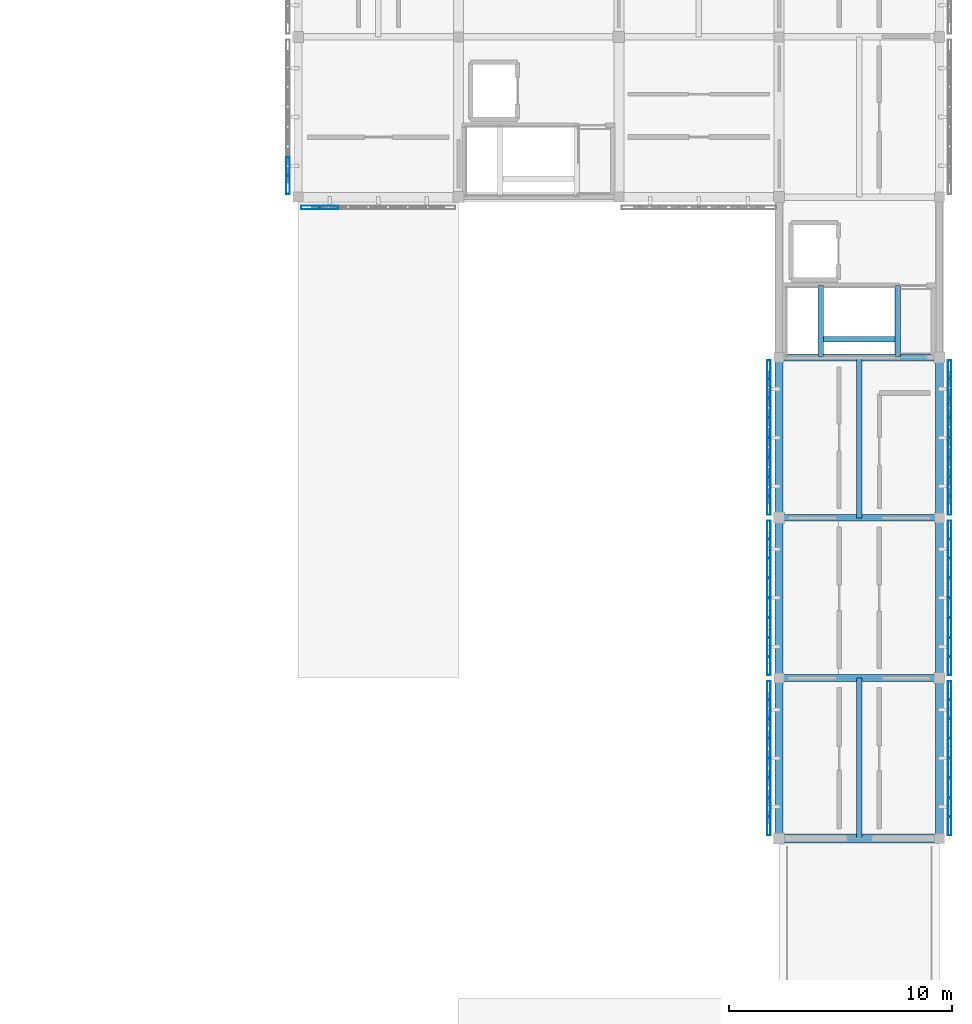
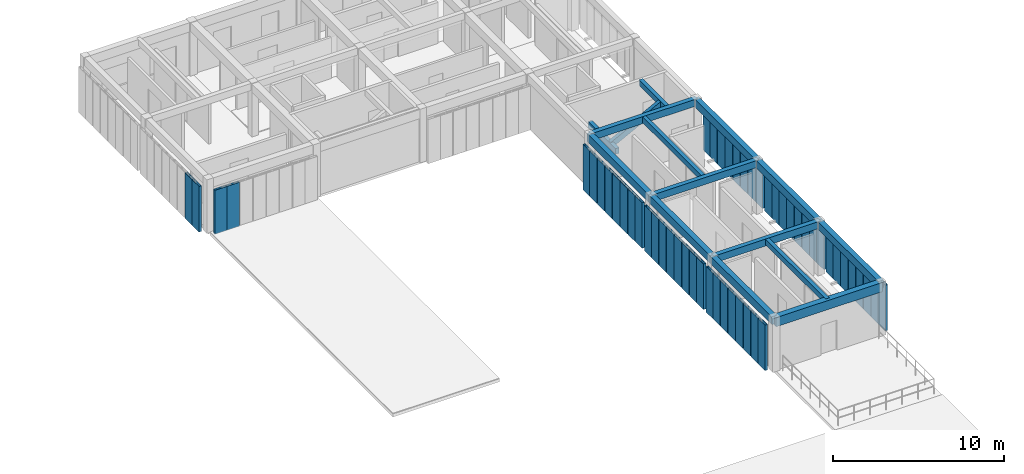
# One storey, part 5 of 33: 52 members, 15 beams, 8 elements without a shape of their own.
"""IFC4 building model written with IfcOpenShell, lengths in metres."""

from ifc_helpers import new_model, si_unit, direction, frame, origin, origin_2d, place, context, subcontext, project, spatial, rectangle, hollow_rectangle, extrude, material, material_profile, profile_set, type_object, element, aggregate, save


model = new_model("IFC4")

# Units and contexts
model_context = context("Model", 3, precision=1e-05, world=origin(), true_north=direction((0.0, 1.0)))
body_context = subcontext(model_context, "Body", "Model", "MODEL_VIEW")
ifc_project = project(units=[si_unit("LENGTHUNIT", "METRE"), si_unit("AREAUNIT", "SQUARE_METRE"), si_unit("VOLUMEUNIT", "CUBIC_METRE"), si_unit("PLANEANGLEUNIT", "RADIAN"), si_unit("MASSUNIT", "GRAM", prefix="KILO")], contexts=[model_context])

# Site, building, storey
site_placement = place(None, origin())
site = spatial("IfcSite", under=ifc_project, at=site_placement, CompositionType="ELEMENT")
building_placement = place(site_placement, origin())
building = spatial("IfcBuilding", under=site, at=building_placement, Name="Aldebral Square Health Centre", CompositionType="ELEMENT")
storey_placement = place(building_placement, frame((0.0, 0.0, 17.550048828125)))
storey = spatial("IfcBuildingStorey", under=building, at=storey_placement, Name="L04", CompositionType="ELEMENT", Elevation=17.550048828125)

# Beams
ifc_material_1 = material(Name="Concrete C40/50", Category="concrete")
ifc_material_profile_1 = material_profile(ifc_material_1, rectangle(XDim=0.39990234375, YDim=0.64990234375, at=origin_2d()), Name="RC 400x650")
ifc_profile_set_1 = profile_set([ifc_material_profile_1], Name="Concrete C40/50")
beam_type_1 = type_object("IfcBeamType", Name="BM-B1", PredefinedType="BEAM", material=ifc_profile_set_1)
beam_1_placement = place(storey_placement, frame((158.39990234375, 72.0, 3.474853515625), z_axis=(1.0, 0.0, 0.0), x_axis=(0.0, 1.0, 0.0)))
element("IfcBeam", 1, at=beam_1_placement, inside=storey, type_object=beam_type_1, Name="L04 X-beam 23-24/G11", PredefinedType="BEAM", context=body_context, shape_type="SweptSolid", body=[
    extrude(rectangle(XDim=0.39990234375, YDim=0.64990234375, at=origin_2d()), origin(), (0.0, 0.0, 1.0), 7.2001953125),
])
ifc_material_profile_2 = material_profile(ifc_material_1, rectangle(XDim=0.35009765625, YDim=0.550048828125, at=origin_2d()), Name="RC 350x550")
ifc_profile_set_2 = profile_set([ifc_material_profile_2], Name="Concrete C40/50")
beam_type_2 = type_object("IfcBeamType", Name="BM-B3", PredefinedType="BEAM", material=ifc_profile_set_2)
for number, where, z_axis, x_axis, name in (
    (2, (158.39990234375, 72.0, 3.52490234375), (0.0, 1.0, 0.0), (-1.0, 0.0, 0.0), "L04 Y-beam G23/11-12"),
    (3, (158.39990234375, 79.199951171875, 3.52490234375), (0.0, 1.0, 0.0), (-1.0, 0.0, 0.0), "L04 Y-beam G23/12-13"),
):
    element("IfcBeam", number, at=place(storey_placement, frame(where, z_axis=z_axis, x_axis=x_axis)), inside=storey, type_object=beam_type_2, Name=name, PredefinedType="BEAM", context=body_context, shape_type="SweptSolid", body=[
        extrude(rectangle(XDim=0.35009765625, YDim=0.550048828125, at=origin_2d()), origin(), (0.0, 0.0, 1.0), 7.199951171875),
    ])
beam_2_placement = place(storey_placement, frame((158.39990234375, 86.39990234375, 3.52490234375), z_axis=(0.0, 1.0, 0.0), x_axis=(-1.0, 0.0, 0.0)))
element("IfcBeam", 4, at=beam_2_placement, inside=storey, type_object=beam_type_2, Name="L04 Y-beam G23/13-14", PredefinedType="BEAM", context=body_context, shape_type="SweptSolid", body=[
    extrude(rectangle(XDim=0.35009765625, YDim=0.550048828125, at=origin_2d()), origin(), (0.0, 0.0, 1.0), 7.2001953125),
])
for number, where, z_axis, x_axis, name in (
    (5, (165.60009765625, 72.0, 3.52490234375), (0.0, 1.0, 0.0), (-1.0, 0.0, 0.0), "L04 Y-beam G24/11-12"),
    (6, (165.60009765625, 79.199951171875, 3.52490234375), (0.0, 1.0, 0.0), (-1.0, 0.0, 0.0), "L04 Y-beam G24/12-13"),
):
    element("IfcBeam", number, at=place(storey_placement, frame(where, z_axis=z_axis, x_axis=x_axis)), inside=storey, type_object=beam_type_2, Name=name, PredefinedType="BEAM", context=body_context, shape_type="SweptSolid", body=[
        extrude(rectangle(XDim=0.35009765625, YDim=0.550048828125, at=origin_2d()), origin(), (0.0, 0.0, 1.0), 7.199951171875),
    ])
beam_3_placement = place(storey_placement, frame((165.60009765625, 86.39990234375, 3.52490234375), z_axis=(0.0, 1.0, 0.0), x_axis=(-1.0, 0.0, 0.0)))
element("IfcBeam", 7, at=beam_3_placement, inside=storey, type_object=beam_type_2, Name="L04 Y-beam G24/13-14", PredefinedType="BEAM", context=body_context, shape_type="SweptSolid", body=[
    extrude(rectangle(XDim=0.35009765625, YDim=0.550048828125, at=origin_2d()), origin(), (0.0, 0.0, 1.0), 7.2001953125),
])
ifc_material_profile_3 = material_profile(ifc_material_1, rectangle(XDim=0.300048828125, YDim=0.5, at=origin_2d()), Name="RC 300x500")
ifc_profile_set_3 = profile_set([ifc_material_profile_3], Name="Concrete C40/50")
beam_type_3 = type_object("IfcBeamType", Name="BM-B4", PredefinedType="BEAM", material=ifc_profile_set_3)
for number, where, z_axis, x_axis, name in (
    (8, (158.39990234375, 79.199951171875, 3.550048828125), (1.0, 0.0, 0.0), (0.0, 1.0, 0.0), "L04 X-beam 23-24/G12"),
    (9, (158.39990234375, 86.39990234375, 3.550048828125), (1.0, 0.0, 0.0), (0.0, 1.0, 0.0), "L04 X-beam 23-24/G13"),
    (10, (158.39990234375, 93.60009765625, 3.550048828125), (1.0, 0.0, 0.0), (0.0, 1.0, 0.0), "L04 X-beam 23-24/G14"),
):
    element("IfcBeam", number, at=place(storey_placement, frame(where, z_axis=z_axis, x_axis=x_axis)), inside=storey, type_object=beam_type_3, Name=name, PredefinedType="BEAM", context=body_context, shape_type="SweptSolid", body=[
        extrude(rectangle(XDim=0.300048828125, YDim=0.5, at=origin_2d()), origin(), (0.0, 0.0, 1.0), 7.2001953125),
    ])
ifc_material_profile_4 = material_profile(ifc_material_1, rectangle(XDim=0.25, YDim=0.39990234375, at=origin_2d()), Name="RC 250x400")
ifc_profile_set_4 = profile_set([ifc_material_profile_4], Name="Concrete C40/50")
beam_type_4 = type_object("IfcBeamType", Name="BM-B6", PredefinedType="JOIST", material=ifc_profile_set_4)
beam_4_placement = place(storey_placement, frame((162.0, 72.0, 3.599853515625), z_axis=(0.0, 1.0, 0.0), x_axis=(-1.0, 0.0, 0.0)))
element("IfcBeam", 11, at=beam_4_placement, inside=storey, type_object=beam_type_4, Name="L04 secondary rib 23.11", PredefinedType="JOIST", context=body_context, shape_type="SweptSolid", body=[
    extrude(rectangle(XDim=0.25, YDim=0.39990234375, at=origin_2d()), origin(), (0.0, 0.0, 1.0), 7.199951171875),
])
beam_5_placement = place(storey_placement, frame((162.0, 86.39990234375, 3.599853515625), z_axis=(0.0, 1.0, 0.0), x_axis=(-1.0, 0.0, 0.0)))
element("IfcBeam", 12, at=beam_5_placement, inside=storey, type_object=beam_type_4, Name="L04 secondary rib 23.13", PredefinedType="JOIST", context=body_context, shape_type="SweptSolid", body=[
    extrude(rectangle(XDim=0.25, YDim=0.39990234375, at=origin_2d()), origin(), (0.0, 0.0, 1.0), 7.2001953125),
])
for number, where, z_axis, x_axis, name in (
    (13, (160.280029296875, 93.610107421875, 1.824951171875), (0.0, 1.0, 0.0), (-1.0, 0.0, 0.0), "L04 WC-C3 half-landing beam"),
    (14, (163.719970703125, 93.610107421875, 3.599853515625), (0.0, 1.0, 0.0), (-1.0, 0.0, 0.0), "L04 WC-C3 upper landing beam"),
):
    element("IfcBeam", number, at=place(storey_placement, frame(where, z_axis=z_axis, x_axis=x_axis)), inside=storey, type_object=beam_type_4, Name=name, PredefinedType="JOIST", context=body_context, shape_type="SweptSolid", body=[
        extrude(rectangle(XDim=0.25, YDim=0.39990234375, at=origin_2d()), origin(), (0.0, 0.0, 1.0), 3.219970703125),
    ])
beam_6_placement = place(storey_placement, frame((160.280029296875, 94.419921875, 1.824951171875), z_axis=(0.888678694458, 0.0, 0.458530454841), x_axis=(0.0, 1.0, 0.0)))
element("IfcBeam", 15, at=beam_6_placement, inside=storey, type_object=beam_type_4, Name="L04 WC-C3 flight stringer beam", PredefinedType="JOIST", context=body_context, shape_type="SweptSolid", body=[
    extrude(rectangle(XDim=0.25, YDim=0.39990234375, at=origin_2d()), origin(), (0.0, 0.0, 1.0), 3.870849609375),
])

# Curtain wall, members
ifc_material_2 = material(Name="Aluminium and low-E solar glass", Category="aluminium")
curtain_wall_type = type_object("IfcCurtainWallType", Name="CW-FIN-SYS", PredefinedType="USERDEFINED", material=ifc_material_2)
curtain_wall_1_placement = place(storey_placement, origin())
curtain_wall_1 = element("IfcCurtainWall", 16, at=curtain_wall_1_placement, inside=storey, type_object=curtain_wall_type, Name="L04 V5 finned curtain wall L04-V5-19-14-S", ObjectType="SOLAR_CURTAIN_WALL", PredefinedType="USERDEFINED")
ifc_material_3 = material(Name="Sienna-terracotta clad aluminium fin", Category="masonry")
ifc_material_profile_5 = material_profile(ifc_material_3, hollow_rectangle(XDim=0.159912109375, YDim=0.85009765625, WallThickness=0.006103515625, at=origin_2d()), Name="FIN 160x850x6")
ifc_profile_set_5 = profile_set([ifc_material_profile_5], Name="Sienna-terracotta clad aluminium fin")
member_type = type_object("IfcMemberType", Name="CWM-FIN", PredefinedType="MULLION", material=ifc_profile_set_5)
member_1_placement = place(storey_placement, frame((137.360107421875, 100.340087890625, 0.0), z_axis=(0.0, 0.0, 1.0), x_axis=(0.0, 1.0, 0.0)))
member_1 = element("IfcMember", 17, at=member_1_placement, type_object=member_type, Name="CW1 mullion 1", PredefinedType="MULLION", context=body_context, shape_type="SweptSolid", body=[
    extrude(hollow_rectangle(XDim=0.159912109375, YDim=0.85009765625, WallThickness=0.006103515625, at=origin_2d()), origin(), (0.0, 0.0, 1.0), 3.14990234375),
])
member_2_placement = place(storey_placement, frame((138.17138671875, 100.340087890625, 0.0), z_axis=(0.0, 0.0, 1.0), x_axis=(0.0, 1.0, 0.0)))
member_2 = element("IfcMember", 18, at=member_2_placement, type_object=member_type, Name="CW1 mullion 2", PredefinedType="MULLION", context=body_context, shape_type="SweptSolid", body=[
    extrude(hollow_rectangle(XDim=0.159912109375, YDim=0.85009765625, WallThickness=0.006103515625, at=origin_2d()), origin(), (0.0, 0.0, 1.0), 3.14990234375),
])
aggregate(curtain_wall_1, [member_1, member_2])

curtain_wall_2_placement = place(storey_placement, origin())
curtain_wall_2 = element("IfcCurtainWall", 19, at=curtain_wall_2_placement, inside=storey, type_object=curtain_wall_type, Name="L04 V5 finned curtain wall L04-V5-19-14-W", ObjectType="SOLAR_CURTAIN_WALL", PredefinedType="USERDEFINED")
member_3_placement = place(storey_placement, frame((136.340087890625, 102.17138671875, 0.0), z_axis=(0.0, 0.0, 1.0), x_axis=(1.0, 0.0, 0.0)))
member_3 = element("IfcMember", 20, at=member_3_placement, type_object=member_type, Name="CW1 mullion 7", PredefinedType="MULLION", context=body_context, shape_type="SweptSolid", body=[
    extrude(hollow_rectangle(XDim=0.159912109375, YDim=0.85009765625, WallThickness=0.006103515625, at=origin_2d()), origin(), (0.0, 0.0, 1.0), 3.25),
])
member_4_placement = place(storey_placement, frame((136.340087890625, 101.360107421875, 0.0), z_axis=(0.0, 0.0, 1.0), x_axis=(1.0, 0.0, 0.0)))
member_4 = element("IfcMember", 21, at=member_4_placement, type_object=member_type, Name="CW1 mullion 8", PredefinedType="MULLION", context=body_context, shape_type="SweptSolid", body=[
    extrude(hollow_rectangle(XDim=0.159912109375, YDim=0.85009765625, WallThickness=0.006103515625, at=origin_2d()), origin(), (0.0, 0.0, 1.0), 3.25),
])
aggregate(curtain_wall_2, [member_3, member_4])

curtain_wall_3_placement = place(storey_placement, origin())
curtain_wall_3 = element("IfcCurtainWall", 22, at=curtain_wall_3_placement, inside=storey, type_object=curtain_wall_type, Name="L04 V5 finned curtain wall L04-V5-22-10-W", ObjectType="SOLAR_CURTAIN_WALL", PredefinedType="USERDEFINED")
member_5_placement = place(storey_placement, frame((157.93994140625, 78.639892578125, 0.0), z_axis=(0.0, 0.0, 1.0), x_axis=(1.0, 0.0, 0.0)))
member_5 = element("IfcMember", 23, at=member_5_placement, type_object=member_type, Name="CW1 mullion 1", PredefinedType="MULLION", context=body_context, shape_type="SweptSolid", body=[
    extrude(hollow_rectangle(XDim=0.159912109375, YDim=0.85009765625, WallThickness=0.006103515625, at=origin_2d()), origin(), (0.0, 0.0, 1.0), 3.25),
])
member_6_placement = place(storey_placement, frame((157.93994140625, 77.82861328125, 0.0), z_axis=(0.0, 0.0, 1.0), x_axis=(1.0, 0.0, 0.0)))
member_6 = element("IfcMember", 24, at=member_6_placement, type_object=member_type, Name="CW1 mullion 2", PredefinedType="MULLION", context=body_context, shape_type="SweptSolid", body=[
    extrude(hollow_rectangle(XDim=0.159912109375, YDim=0.85009765625, WallThickness=0.006103515625, at=origin_2d()), origin(), (0.0, 0.0, 1.0), 3.25),
])
member_7_placement = place(storey_placement, frame((157.93994140625, 76.937255859375, 0.0), z_axis=(0.0, 0.0, 1.0), x_axis=(1.0, 0.0, 0.0)))
member_7 = element("IfcMember", 25, at=member_7_placement, type_object=member_type, Name="CW1 mullion 3", PredefinedType="MULLION", context=body_context, shape_type="SweptSolid", body=[
    extrude(hollow_rectangle(XDim=0.159912109375, YDim=0.85009765625, WallThickness=0.006103515625, at=origin_2d()), origin(), (0.0, 0.0, 1.0), 3.25),
])
member_8_placement = place(storey_placement, frame((157.93994140625, 76.045654296875, 0.0), z_axis=(0.0, 0.0, 1.0), x_axis=(1.0, 0.0, 0.0)))
member_8 = element("IfcMember", 26, at=member_8_placement, type_object=member_type, Name="CW1 mullion 4", PredefinedType="MULLION", context=body_context, shape_type="SweptSolid", body=[
    extrude(hollow_rectangle(XDim=0.159912109375, YDim=0.85009765625, WallThickness=0.006103515625, at=origin_2d()), origin(), (0.0, 0.0, 1.0), 3.25),
])
member_9_placement = place(storey_placement, frame((157.93994140625, 75.154296875, 0.0), z_axis=(0.0, 0.0, 1.0), x_axis=(1.0, 0.0, 0.0)))
member_9 = element("IfcMember", 27, at=member_9_placement, type_object=member_type, Name="CW1 mullion 5", PredefinedType="MULLION", context=body_context, shape_type="SweptSolid", body=[
    extrude(hollow_rectangle(XDim=0.159912109375, YDim=0.85009765625, WallThickness=0.006103515625, at=origin_2d()), origin(), (0.0, 0.0, 1.0), 3.25),
])
member_10_placement = place(storey_placement, frame((157.93994140625, 74.262939453125, 0.0), z_axis=(0.0, 0.0, 1.0), x_axis=(1.0, 0.0, 0.0)))
member_10 = element("IfcMember", 28, at=member_10_placement, type_object=member_type, Name="CW1 mullion 6", PredefinedType="MULLION", context=body_context, shape_type="SweptSolid", body=[
    extrude(hollow_rectangle(XDim=0.159912109375, YDim=0.85009765625, WallThickness=0.006103515625, at=origin_2d()), origin(), (0.0, 0.0, 1.0), 3.25),
])
member_11_placement = place(storey_placement, frame((157.93994140625, 73.371337890625, 0.0), z_axis=(0.0, 0.0, 1.0), x_axis=(1.0, 0.0, 0.0)))
member_11 = element("IfcMember", 29, at=member_11_placement, type_object=member_type, Name="CW1 mullion 7", PredefinedType="MULLION", context=body_context, shape_type="SweptSolid", body=[
    extrude(hollow_rectangle(XDim=0.159912109375, YDim=0.85009765625, WallThickness=0.006103515625, at=origin_2d()), origin(), (0.0, 0.0, 1.0), 3.25),
])
member_12_placement = place(storey_placement, frame((157.93994140625, 72.56005859375, 0.0), z_axis=(0.0, 0.0, 1.0), x_axis=(1.0, 0.0, 0.0)))
member_12 = element("IfcMember", 30, at=member_12_placement, type_object=member_type, Name="CW1 mullion 8", PredefinedType="MULLION", context=body_context, shape_type="SweptSolid", body=[
    extrude(hollow_rectangle(XDim=0.159912109375, YDim=0.85009765625, WallThickness=0.006103515625, at=origin_2d()), origin(), (0.0, 0.0, 1.0), 3.25),
])
aggregate(curtain_wall_3, [member_5, member_6, member_7, member_8, member_9, member_10, member_11, member_12])

curtain_wall_4_placement = place(storey_placement, origin())
curtain_wall_4 = element("IfcCurtainWall", 31, at=curtain_wall_4_placement, inside=storey, type_object=curtain_wall_type, Name="L04 V5 finned curtain wall L04-V5-22-10-E", ObjectType="SOLAR_CURTAIN_WALL", PredefinedType="USERDEFINED")
member_13_placement = place(storey_placement, frame((166.06005859375, 72.56005859375, 0.0), z_axis=(0.0, 0.0, 1.0), x_axis=(-1.0, 0.0, 0.0)))
member_13 = element("IfcMember", 32, at=member_13_placement, type_object=member_type, Name="CW1 mullion 1", PredefinedType="MULLION", context=body_context, shape_type="SweptSolid", body=[
    extrude(hollow_rectangle(XDim=0.159912109375, YDim=0.85009765625, WallThickness=0.006103515625, at=origin_2d()), origin(), (0.0, 0.0, 1.0), 3.25),
])
member_14_placement = place(storey_placement, frame((166.06005859375, 73.371337890625, 0.0), z_axis=(0.0, 0.0, 1.0), x_axis=(-1.0, 0.0, 0.0)))
member_14 = element("IfcMember", 33, at=member_14_placement, type_object=member_type, Name="CW1 mullion 2", PredefinedType="MULLION", context=body_context, shape_type="SweptSolid", body=[
    extrude(hollow_rectangle(XDim=0.159912109375, YDim=0.85009765625, WallThickness=0.006103515625, at=origin_2d()), origin(), (0.0, 0.0, 1.0), 3.25),
])
member_15_placement = place(storey_placement, frame((166.06005859375, 74.262939453125, 0.0), z_axis=(0.0, 0.0, 1.0), x_axis=(-1.0, 0.0, 0.0)))
member_15 = element("IfcMember", 34, at=member_15_placement, type_object=member_type, Name="CW1 mullion 3", PredefinedType="MULLION", context=body_context, shape_type="SweptSolid", body=[
    extrude(hollow_rectangle(XDim=0.159912109375, YDim=0.85009765625, WallThickness=0.006103515625, at=origin_2d()), origin(), (0.0, 0.0, 1.0), 3.25),
])
member_16_placement = place(storey_placement, frame((166.06005859375, 75.154296875, 0.0), z_axis=(0.0, 0.0, 1.0), x_axis=(-1.0, 0.0, 0.0)))
member_16 = element("IfcMember", 35, at=member_16_placement, type_object=member_type, Name="CW1 mullion 4", PredefinedType="MULLION", context=body_context, shape_type="SweptSolid", body=[
    extrude(hollow_rectangle(XDim=0.159912109375, YDim=0.85009765625, WallThickness=0.006103515625, at=origin_2d()), origin(), (0.0, 0.0, 1.0), 3.25),
])
member_17_placement = place(storey_placement, frame((166.06005859375, 76.045654296875, 0.0), z_axis=(0.0, 0.0, 1.0), x_axis=(-1.0, 0.0, 0.0)))
member_17 = element("IfcMember", 36, at=member_17_placement, type_object=member_type, Name="CW1 mullion 5", PredefinedType="MULLION", context=body_context, shape_type="SweptSolid", body=[
    extrude(hollow_rectangle(XDim=0.159912109375, YDim=0.85009765625, WallThickness=0.006103515625, at=origin_2d()), origin(), (0.0, 0.0, 1.0), 3.25),
])
member_18_placement = place(storey_placement, frame((166.06005859375, 76.937255859375, 0.0), z_axis=(0.0, 0.0, 1.0), x_axis=(-1.0, 0.0, 0.0)))
member_18 = element("IfcMember", 37, at=member_18_placement, type_object=member_type, Name="CW1 mullion 6", PredefinedType="MULLION", context=body_context, shape_type="SweptSolid", body=[
    extrude(hollow_rectangle(XDim=0.159912109375, YDim=0.85009765625, WallThickness=0.006103515625, at=origin_2d()), origin(), (0.0, 0.0, 1.0), 3.25),
])
member_19_placement = place(storey_placement, frame((166.06005859375, 77.82861328125, 0.0), z_axis=(0.0, 0.0, 1.0), x_axis=(-1.0, 0.0, 0.0)))
member_19 = element("IfcMember", 38, at=member_19_placement, type_object=member_type, Name="CW1 mullion 7", PredefinedType="MULLION", context=body_context, shape_type="SweptSolid", body=[
    extrude(hollow_rectangle(XDim=0.159912109375, YDim=0.85009765625, WallThickness=0.006103515625, at=origin_2d()), origin(), (0.0, 0.0, 1.0), 3.25),
])
member_20_placement = place(storey_placement, frame((166.06005859375, 78.639892578125, 0.0), z_axis=(0.0, 0.0, 1.0), x_axis=(-1.0, 0.0, 0.0)))
member_20 = element("IfcMember", 39, at=member_20_placement, type_object=member_type, Name="CW1 mullion 8", PredefinedType="MULLION", context=body_context, shape_type="SweptSolid", body=[
    extrude(hollow_rectangle(XDim=0.159912109375, YDim=0.85009765625, WallThickness=0.006103515625, at=origin_2d()), origin(), (0.0, 0.0, 1.0), 3.25),
])
aggregate(curtain_wall_4, [member_13, member_14, member_15, member_16, member_17, member_18, member_19, member_20])

curtain_wall_5_placement = place(storey_placement, origin())
curtain_wall_5 = element("IfcCurtainWall", 40, at=curtain_wall_5_placement, inside=storey, type_object=curtain_wall_type, Name="L04 V5 finned curtain wall L04-V5-22-11-W", ObjectType="SOLAR_CURTAIN_WALL", PredefinedType="USERDEFINED")
member_21_placement = place(storey_placement, frame((157.93994140625, 85.840087890625, 0.0), z_axis=(0.0, 0.0, 1.0), x_axis=(1.0, 0.0, 0.0)))
member_21 = element("IfcMember", 41, at=member_21_placement, type_object=member_type, Name="CW1 mullion 1", PredefinedType="MULLION", context=body_context, shape_type="SweptSolid", body=[
    extrude(hollow_rectangle(XDim=0.159912109375, YDim=0.85009765625, WallThickness=0.006103515625, at=origin_2d()), origin(), (0.0, 0.0, 1.0), 3.25),
])
member_22_placement = place(storey_placement, frame((157.93994140625, 85.028564453125, 0.0), z_axis=(0.0, 0.0, 1.0), x_axis=(1.0, 0.0, 0.0)))
member_22 = element("IfcMember", 42, at=member_22_placement, type_object=member_type, Name="CW1 mullion 2", PredefinedType="MULLION", context=body_context, shape_type="SweptSolid", body=[
    extrude(hollow_rectangle(XDim=0.159912109375, YDim=0.85009765625, WallThickness=0.006103515625, at=origin_2d()), origin(), (0.0, 0.0, 1.0), 3.25),
])
member_23_placement = place(storey_placement, frame((157.93994140625, 84.13720703125, 0.0), z_axis=(0.0, 0.0, 1.0), x_axis=(1.0, 0.0, 0.0)))
member_23 = element("IfcMember", 43, at=member_23_placement, type_object=member_type, Name="CW1 mullion 3", PredefinedType="MULLION", context=body_context, shape_type="SweptSolid", body=[
    extrude(hollow_rectangle(XDim=0.159912109375, YDim=0.85009765625, WallThickness=0.006103515625, at=origin_2d()), origin(), (0.0, 0.0, 1.0), 3.25),
])
member_24_placement = place(storey_placement, frame((157.93994140625, 83.24560546875, 0.0), z_axis=(0.0, 0.0, 1.0), x_axis=(1.0, 0.0, 0.0)))
member_24 = element("IfcMember", 44, at=member_24_placement, type_object=member_type, Name="CW1 mullion 4", PredefinedType="MULLION", context=body_context, shape_type="SweptSolid", body=[
    extrude(hollow_rectangle(XDim=0.159912109375, YDim=0.85009765625, WallThickness=0.006103515625, at=origin_2d()), origin(), (0.0, 0.0, 1.0), 3.25),
])
member_25_placement = place(storey_placement, frame((157.93994140625, 82.354248046875, 0.0), z_axis=(0.0, 0.0, 1.0), x_axis=(1.0, 0.0, 0.0)))
member_25 = element("IfcMember", 45, at=member_25_placement, type_object=member_type, Name="CW1 mullion 5", PredefinedType="MULLION", context=body_context, shape_type="SweptSolid", body=[
    extrude(hollow_rectangle(XDim=0.159912109375, YDim=0.85009765625, WallThickness=0.006103515625, at=origin_2d()), origin(), (0.0, 0.0, 1.0), 3.25),
])
member_26_placement = place(storey_placement, frame((157.93994140625, 81.462890625, 0.0), z_axis=(0.0, 0.0, 1.0), x_axis=(1.0, 0.0, 0.0)))
member_26 = element("IfcMember", 46, at=member_26_placement, type_object=member_type, Name="CW1 mullion 6", PredefinedType="MULLION", context=body_context, shape_type="SweptSolid", body=[
    extrude(hollow_rectangle(XDim=0.159912109375, YDim=0.85009765625, WallThickness=0.006103515625, at=origin_2d()), origin(), (0.0, 0.0, 1.0), 3.25),
])
member_27_placement = place(storey_placement, frame((157.93994140625, 80.571533203125, 0.0), z_axis=(0.0, 0.0, 1.0), x_axis=(1.0, 0.0, 0.0)))
member_27 = element("IfcMember", 47, at=member_27_placement, type_object=member_type, Name="CW1 mullion 7", PredefinedType="MULLION", context=body_context, shape_type="SweptSolid", body=[
    extrude(hollow_rectangle(XDim=0.159912109375, YDim=0.85009765625, WallThickness=0.006103515625, at=origin_2d()), origin(), (0.0, 0.0, 1.0), 3.25),
])
member_28_placement = place(storey_placement, frame((157.93994140625, 79.760009765625, 0.0), z_axis=(0.0, 0.0, 1.0), x_axis=(1.0, 0.0, 0.0)))
member_28 = element("IfcMember", 48, at=member_28_placement, type_object=member_type, Name="CW1 mullion 8", PredefinedType="MULLION", context=body_context, shape_type="SweptSolid", body=[
    extrude(hollow_rectangle(XDim=0.159912109375, YDim=0.85009765625, WallThickness=0.006103515625, at=origin_2d()), origin(), (0.0, 0.0, 1.0), 3.25),
])
aggregate(curtain_wall_5, [member_21, member_22, member_23, member_24, member_25, member_26, member_27, member_28])

curtain_wall_6_placement = place(storey_placement, origin())
curtain_wall_6 = element("IfcCurtainWall", 49, at=curtain_wall_6_placement, inside=storey, type_object=curtain_wall_type, Name="L04 V5 finned curtain wall L04-V5-22-11-E", ObjectType="SOLAR_CURTAIN_WALL", PredefinedType="USERDEFINED")
member_29_placement = place(storey_placement, frame((166.06005859375, 79.760009765625, 0.0), z_axis=(0.0, 0.0, 1.0), x_axis=(-1.0, 0.0, 0.0)))
member_29 = element("IfcMember", 50, at=member_29_placement, type_object=member_type, Name="CW1 mullion 1", PredefinedType="MULLION", context=body_context, shape_type="SweptSolid", body=[
    extrude(hollow_rectangle(XDim=0.159912109375, YDim=0.85009765625, WallThickness=0.006103515625, at=origin_2d()), origin(), (0.0, 0.0, 1.0), 3.25),
])
member_30_placement = place(storey_placement, frame((166.06005859375, 80.571533203125, 0.0), z_axis=(0.0, 0.0, 1.0), x_axis=(-1.0, 0.0, 0.0)))
member_30 = element("IfcMember", 51, at=member_30_placement, type_object=member_type, Name="CW1 mullion 2", PredefinedType="MULLION", context=body_context, shape_type="SweptSolid", body=[
    extrude(hollow_rectangle(XDim=0.159912109375, YDim=0.85009765625, WallThickness=0.006103515625, at=origin_2d()), origin(), (0.0, 0.0, 1.0), 3.25),
])
member_31_placement = place(storey_placement, frame((166.06005859375, 81.462890625, 0.0), z_axis=(0.0, 0.0, 1.0), x_axis=(-1.0, 0.0, 0.0)))
member_31 = element("IfcMember", 52, at=member_31_placement, type_object=member_type, Name="CW1 mullion 3", PredefinedType="MULLION", context=body_context, shape_type="SweptSolid", body=[
    extrude(hollow_rectangle(XDim=0.159912109375, YDim=0.85009765625, WallThickness=0.006103515625, at=origin_2d()), origin(), (0.0, 0.0, 1.0), 3.25),
])
member_32_placement = place(storey_placement, frame((166.06005859375, 82.354248046875, 0.0), z_axis=(0.0, 0.0, 1.0), x_axis=(-1.0, 0.0, 0.0)))
member_32 = element("IfcMember", 53, at=member_32_placement, type_object=member_type, Name="CW1 mullion 4", PredefinedType="MULLION", context=body_context, shape_type="SweptSolid", body=[
    extrude(hollow_rectangle(XDim=0.159912109375, YDim=0.85009765625, WallThickness=0.006103515625, at=origin_2d()), origin(), (0.0, 0.0, 1.0), 3.25),
])
member_33_placement = place(storey_placement, frame((166.06005859375, 83.24560546875, 0.0), z_axis=(0.0, 0.0, 1.0), x_axis=(-1.0, 0.0, 0.0)))
member_33 = element("IfcMember", 54, at=member_33_placement, type_object=member_type, Name="CW1 mullion 5", PredefinedType="MULLION", context=body_context, shape_type="SweptSolid", body=[
    extrude(hollow_rectangle(XDim=0.159912109375, YDim=0.85009765625, WallThickness=0.006103515625, at=origin_2d()), origin(), (0.0, 0.0, 1.0), 3.25),
])
member_34_placement = place(storey_placement, frame((166.06005859375, 84.13720703125, 0.0), z_axis=(0.0, 0.0, 1.0), x_axis=(-1.0, 0.0, 0.0)))
member_34 = element("IfcMember", 55, at=member_34_placement, type_object=member_type, Name="CW1 mullion 6", PredefinedType="MULLION", context=body_context, shape_type="SweptSolid", body=[
    extrude(hollow_rectangle(XDim=0.159912109375, YDim=0.85009765625, WallThickness=0.006103515625, at=origin_2d()), origin(), (0.0, 0.0, 1.0), 3.25),
])
member_35_placement = place(storey_placement, frame((166.06005859375, 85.028564453125, 0.0), z_axis=(0.0, 0.0, 1.0), x_axis=(-1.0, 0.0, 0.0)))
member_35 = element("IfcMember", 56, at=member_35_placement, type_object=member_type, Name="CW1 mullion 7", PredefinedType="MULLION", context=body_context, shape_type="SweptSolid", body=[
    extrude(hollow_rectangle(XDim=0.159912109375, YDim=0.85009765625, WallThickness=0.006103515625, at=origin_2d()), origin(), (0.0, 0.0, 1.0), 3.25),
])
member_36_placement = place(storey_placement, frame((166.06005859375, 85.840087890625, 0.0), z_axis=(0.0, 0.0, 1.0), x_axis=(-1.0, 0.0, 0.0)))
member_36 = element("IfcMember", 57, at=member_36_placement, type_object=member_type, Name="CW1 mullion 8", PredefinedType="MULLION", context=body_context, shape_type="SweptSolid", body=[
    extrude(hollow_rectangle(XDim=0.159912109375, YDim=0.85009765625, WallThickness=0.006103515625, at=origin_2d()), origin(), (0.0, 0.0, 1.0), 3.25),
])
aggregate(curtain_wall_6, [member_29, member_30, member_31, member_32, member_33, member_34, member_35, member_36])

curtain_wall_7_placement = place(storey_placement, origin())
curtain_wall_7 = element("IfcCurtainWall", 58, at=curtain_wall_7_placement, inside=storey, type_object=curtain_wall_type, Name="L04 V5 finned curtain wall L04-V5-22-12-W", ObjectType="SOLAR_CURTAIN_WALL", PredefinedType="USERDEFINED")
member_37_placement = place(storey_placement, frame((157.93994140625, 93.0400390625, 0.0), z_axis=(0.0, 0.0, 1.0), x_axis=(1.0, 0.0, 0.0)))
member_37 = element("IfcMember", 59, at=member_37_placement, type_object=member_type, Name="CW1 mullion 1", PredefinedType="MULLION", context=body_context, shape_type="SweptSolid", body=[
    extrude(hollow_rectangle(XDim=0.159912109375, YDim=0.85009765625, WallThickness=0.006103515625, at=origin_2d()), origin(), (0.0, 0.0, 1.0), 3.25),
])
member_38_placement = place(storey_placement, frame((157.93994140625, 92.228515625, 0.0), z_axis=(0.0, 0.0, 1.0), x_axis=(1.0, 0.0, 0.0)))
member_38 = element("IfcMember", 60, at=member_38_placement, type_object=member_type, Name="CW1 mullion 2", PredefinedType="MULLION", context=body_context, shape_type="SweptSolid", body=[
    extrude(hollow_rectangle(XDim=0.159912109375, YDim=0.85009765625, WallThickness=0.006103515625, at=origin_2d()), origin(), (0.0, 0.0, 1.0), 3.25),
])
member_39_placement = place(storey_placement, frame((157.93994140625, 91.337158203125, 0.0), z_axis=(0.0, 0.0, 1.0), x_axis=(1.0, 0.0, 0.0)))
member_39 = element("IfcMember", 61, at=member_39_placement, type_object=member_type, Name="CW1 mullion 3", PredefinedType="MULLION", context=body_context, shape_type="SweptSolid", body=[
    extrude(hollow_rectangle(XDim=0.159912109375, YDim=0.85009765625, WallThickness=0.006103515625, at=origin_2d()), origin(), (0.0, 0.0, 1.0), 3.25),
])
member_40_placement = place(storey_placement, frame((157.93994140625, 90.44580078125, 0.0), z_axis=(0.0, 0.0, 1.0), x_axis=(1.0, 0.0, 0.0)))
member_40 = element("IfcMember", 62, at=member_40_placement, type_object=member_type, Name="CW1 mullion 4", PredefinedType="MULLION", context=body_context, shape_type="SweptSolid", body=[
    extrude(hollow_rectangle(XDim=0.159912109375, YDim=0.85009765625, WallThickness=0.006103515625, at=origin_2d()), origin(), (0.0, 0.0, 1.0), 3.25),
])
member_41_placement = place(storey_placement, frame((157.93994140625, 89.55419921875, 0.0), z_axis=(0.0, 0.0, 1.0), x_axis=(1.0, 0.0, 0.0)))
member_41 = element("IfcMember", 63, at=member_41_placement, type_object=member_type, Name="CW1 mullion 5", PredefinedType="MULLION", context=body_context, shape_type="SweptSolid", body=[
    extrude(hollow_rectangle(XDim=0.159912109375, YDim=0.85009765625, WallThickness=0.006103515625, at=origin_2d()), origin(), (0.0, 0.0, 1.0), 3.25),
])
member_42_placement = place(storey_placement, frame((157.93994140625, 88.662841796875, 0.0), z_axis=(0.0, 0.0, 1.0), x_axis=(1.0, 0.0, 0.0)))
member_42 = element("IfcMember", 64, at=member_42_placement, type_object=member_type, Name="CW1 mullion 6", PredefinedType="MULLION", context=body_context, shape_type="SweptSolid", body=[
    extrude(hollow_rectangle(XDim=0.159912109375, YDim=0.85009765625, WallThickness=0.006103515625, at=origin_2d()), origin(), (0.0, 0.0, 1.0), 3.25),
])
member_43_placement = place(storey_placement, frame((157.93994140625, 87.771484375, 0.0), z_axis=(0.0, 0.0, 1.0), x_axis=(1.0, 0.0, 0.0)))
member_43 = element("IfcMember", 65, at=member_43_placement, type_object=member_type, Name="CW1 mullion 7", PredefinedType="MULLION", context=body_context, shape_type="SweptSolid", body=[
    extrude(hollow_rectangle(XDim=0.159912109375, YDim=0.85009765625, WallThickness=0.006103515625, at=origin_2d()), origin(), (0.0, 0.0, 1.0), 3.25),
])
member_44_placement = place(storey_placement, frame((157.93994140625, 86.9599609375, 0.0), z_axis=(0.0, 0.0, 1.0), x_axis=(1.0, 0.0, 0.0)))
member_44 = element("IfcMember", 66, at=member_44_placement, type_object=member_type, Name="CW1 mullion 8", PredefinedType="MULLION", context=body_context, shape_type="SweptSolid", body=[
    extrude(hollow_rectangle(XDim=0.159912109375, YDim=0.85009765625, WallThickness=0.006103515625, at=origin_2d()), origin(), (0.0, 0.0, 1.0), 3.25),
])
aggregate(curtain_wall_7, [member_37, member_38, member_39, member_40, member_41, member_42, member_43, member_44])

curtain_wall_8_placement = place(storey_placement, origin())
curtain_wall_8 = element("IfcCurtainWall", 67, at=curtain_wall_8_placement, inside=storey, type_object=curtain_wall_type, Name="L04 V5 finned curtain wall L04-V5-22-12-E", ObjectType="SOLAR_CURTAIN_WALL", PredefinedType="USERDEFINED")
member_45_placement = place(storey_placement, frame((166.06005859375, 86.9599609375, 0.0), z_axis=(0.0, 0.0, 1.0), x_axis=(-1.0, 0.0, 0.0)))
member_45 = element("IfcMember", 68, at=member_45_placement, type_object=member_type, Name="CW1 mullion 1", PredefinedType="MULLION", context=body_context, shape_type="SweptSolid", body=[
    extrude(hollow_rectangle(XDim=0.159912109375, YDim=0.85009765625, WallThickness=0.006103515625, at=origin_2d()), origin(), (0.0, 0.0, 1.0), 3.25),
])
member_46_placement = place(storey_placement, frame((166.06005859375, 87.771484375, 0.0), z_axis=(0.0, 0.0, 1.0), x_axis=(-1.0, 0.0, 0.0)))
member_46 = element("IfcMember", 69, at=member_46_placement, type_object=member_type, Name="CW1 mullion 2", PredefinedType="MULLION", context=body_context, shape_type="SweptSolid", body=[
    extrude(hollow_rectangle(XDim=0.159912109375, YDim=0.85009765625, WallThickness=0.006103515625, at=origin_2d()), origin(), (0.0, 0.0, 1.0), 3.25),
])
member_47_placement = place(storey_placement, frame((166.06005859375, 88.662841796875, 0.0), z_axis=(0.0, 0.0, 1.0), x_axis=(-1.0, 0.0, 0.0)))
member_47 = element("IfcMember", 70, at=member_47_placement, type_object=member_type, Name="CW1 mullion 3", PredefinedType="MULLION", context=body_context, shape_type="SweptSolid", body=[
    extrude(hollow_rectangle(XDim=0.159912109375, YDim=0.85009765625, WallThickness=0.006103515625, at=origin_2d()), origin(), (0.0, 0.0, 1.0), 3.25),
])
member_48_placement = place(storey_placement, frame((166.06005859375, 89.55419921875, 0.0), z_axis=(0.0, 0.0, 1.0), x_axis=(-1.0, 0.0, 0.0)))
member_48 = element("IfcMember", 71, at=member_48_placement, type_object=member_type, Name="CW1 mullion 4", PredefinedType="MULLION", context=body_context, shape_type="SweptSolid", body=[
    extrude(hollow_rectangle(XDim=0.159912109375, YDim=0.85009765625, WallThickness=0.006103515625, at=origin_2d()), origin(), (0.0, 0.0, 1.0), 3.25),
])
member_49_placement = place(storey_placement, frame((166.06005859375, 90.44580078125, 0.0), z_axis=(0.0, 0.0, 1.0), x_axis=(-1.0, 0.0, 0.0)))
member_49 = element("IfcMember", 72, at=member_49_placement, type_object=member_type, Name="CW1 mullion 5", PredefinedType="MULLION", context=body_context, shape_type="SweptSolid", body=[
    extrude(hollow_rectangle(XDim=0.159912109375, YDim=0.85009765625, WallThickness=0.006103515625, at=origin_2d()), origin(), (0.0, 0.0, 1.0), 3.25),
])
member_50_placement = place(storey_placement, frame((166.06005859375, 91.337158203125, 0.0), z_axis=(0.0, 0.0, 1.0), x_axis=(-1.0, 0.0, 0.0)))
member_50 = element("IfcMember", 73, at=member_50_placement, type_object=member_type, Name="CW1 mullion 6", PredefinedType="MULLION", context=body_context, shape_type="SweptSolid", body=[
    extrude(hollow_rectangle(XDim=0.159912109375, YDim=0.85009765625, WallThickness=0.006103515625, at=origin_2d()), origin(), (0.0, 0.0, 1.0), 3.25),
])
member_51_placement = place(storey_placement, frame((166.06005859375, 92.228515625, 0.0), z_axis=(0.0, 0.0, 1.0), x_axis=(-1.0, 0.0, 0.0)))
member_51 = element("IfcMember", 74, at=member_51_placement, type_object=member_type, Name="CW1 mullion 7", PredefinedType="MULLION", context=body_context, shape_type="SweptSolid", body=[
    extrude(hollow_rectangle(XDim=0.159912109375, YDim=0.85009765625, WallThickness=0.006103515625, at=origin_2d()), origin(), (0.0, 0.0, 1.0), 3.25),
])
member_52_placement = place(storey_placement, frame((166.06005859375, 93.0400390625, 0.0), z_axis=(0.0, 0.0, 1.0), x_axis=(-1.0, 0.0, 0.0)))
member_52 = element("IfcMember", 75, at=member_52_placement, type_object=member_type, Name="CW1 mullion 8", PredefinedType="MULLION", context=body_context, shape_type="SweptSolid", body=[
    extrude(hollow_rectangle(XDim=0.159912109375, YDim=0.85009765625, WallThickness=0.006103515625, at=origin_2d()), origin(), (0.0, 0.0, 1.0), 3.25),
])
aggregate(curtain_wall_8, [member_45, member_46, member_47, member_48, member_49, member_50, member_51, member_52])

save(model, "model.ifc")
